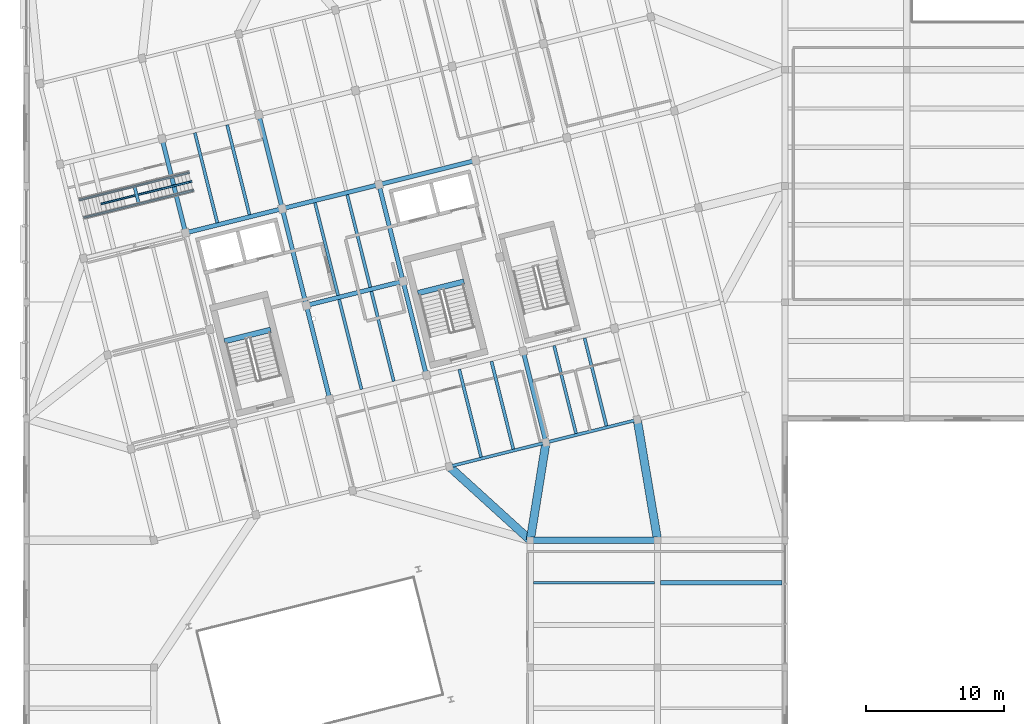
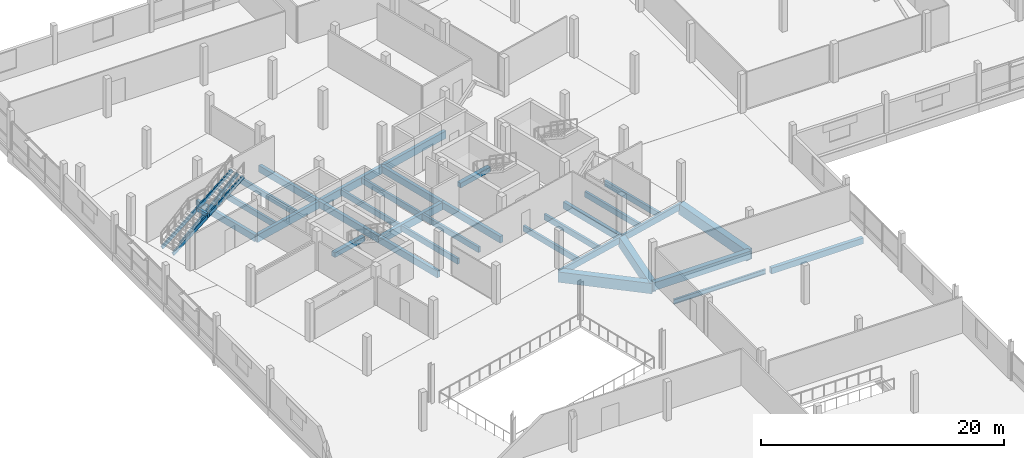
# One storey, part 23 of 62: 32 beams, 3 members.
"""IFC4 building model written with IfcOpenShell, lengths in metres."""

from ifc_helpers import new_model, si_unit, direction, frame, origin, origin_2d, place, context, subcontext, project, spatial, rectangle, i_section, extrude, material, material_profile, profile_set, type_object, element, save


model = new_model("IFC4")

# Units and contexts
model_context = context("Model", 3, precision=1e-05, world=origin(), true_north=direction((0.0, 1.0)))
body_context = subcontext(model_context, "Body", "Model", "MODEL_VIEW")
ifc_project = project(units=[si_unit("LENGTHUNIT", "METRE"), si_unit("AREAUNIT", "SQUARE_METRE"), si_unit("VOLUMEUNIT", "CUBIC_METRE"), si_unit("PLANEANGLEUNIT", "RADIAN"), si_unit("MASSUNIT", "GRAM", prefix="KILO")], contexts=[model_context])

# Site, building, storey
site_placement = place(None, origin())
site = spatial("IfcSite", under=ifc_project, at=site_placement, CompositionType="ELEMENT")
building_placement = place(site_placement, origin())
building = spatial("IfcBuilding", under=site, at=building_placement, Name="Meriwether Solvik Hall", CompositionType="ELEMENT")
storey_placement = place(building_placement, frame((0.0, 0.0, 14.39990234375)))
storey = spatial("IfcBuildingStorey", under=building, at=storey_placement, Name="L03", CompositionType="ELEMENT", Elevation=14.39990234375)

# Beams
ifc_material_1 = material(Name="Glulam Douglas-Fir 24F-V8 GL28h", Category="wood")
ifc_material_profile_1 = material_profile(ifc_material_1, rectangle(XDim=0.221923828125, YDim=0.64501953125, at=origin_2d()), Name="GLB-222X645")
ifc_profile_set_1 = profile_set([ifc_material_profile_1], Name="Glulam Douglas-Fir 24F-V8 GL28h")
beam_type_1 = type_object("IfcBeamType", Name="BM-GL-222X645", PredefinedType="SPANDREL", material=ifc_profile_set_1)
beam_1_placement = place(storey_placement, frame((89.946533203125, 46.522216796875, -0.5673828125), z_axis=(0.970291911955, 0.241937193493, 0.0), x_axis=(-0.241937193493, 0.970291911955, 0.0)))
element("IfcBeam", 1, at=beam_1_placement, inside=storey, type_object=beam_type_1, Name="Tower Girder TA:T4-T5 (L03)", PredefinedType="SPANDREL", context=body_context, shape_type="SweptSolid", body=[
    extrude(rectangle(XDim=0.221923828125, YDim=0.64501953125, at=origin_2d()), origin(), (0.0, 0.0, 1.0), 7.199951171875),
])
beam_2_placement = place(storey_placement, frame((96.9326171875, 48.26416015625, -0.5673828125), z_axis=(0.970298579828, 0.24191045034, 0.0), x_axis=(-0.24191045034, 0.970298579828, 0.0)))
element("IfcBeam", 2, at=beam_2_placement, inside=storey, type_object=beam_type_1, Name="Tower Girder TA:T5-T6 (L03)", PredefinedType="SPANDREL", context=body_context, shape_type="SweptSolid", body=[
    extrude(rectangle(XDim=0.221923828125, YDim=0.64501953125, at=origin_2d()), origin(), (0.0, 0.0, 1.0), 6.800048828125),
])
ifc_material_2 = material(Name="Glulam Douglas-Fir 24F-V8 GL28h", Category="wood")
ifc_material_profile_2 = material_profile(ifc_material_2, rectangle(XDim=0.31494140625, YDim=0.68505859375, at=origin_2d()), Name="GLB-315X685")
ifc_profile_set_2 = profile_set([ifc_material_profile_2], Name="Glulam Douglas-Fir 24F-V8 GL28h")
beam_type_2 = type_object("IfcBeamType", Name="BM-GL-315X685", PredefinedType="BEAM", material=ifc_profile_set_2)
for number, where, z_axis, x_axis, name in (
    (3, (70.893798828125, 63.414794921875, -0.58740234375), (-0.241911879182, 0.970298223594, 0.0), (-0.970298223594, -0.241911879182, 0.0), "Tower Girder T2:TD-TE (L03)"),
    (4, (81.3154296875, 51.37841796875, -0.58740234375), (-0.241944715397, 0.970290036376, 0.0), (-0.970290036376, -0.241944715397, 0.0), "Tower Girder T3:TB-TC (L03)"),
):
    element("IfcBeam", number, at=place(storey_placement, frame(where, z_axis=z_axis, x_axis=x_axis)), inside=storey, type_object=beam_type_2, Name=name, PredefinedType="BEAM", context=body_context, shape_type="SweptSolid", body=[
        extrude(rectangle(XDim=0.31494140625, YDim=0.68505859375, at=origin_2d()), origin(), (0.0, 0.0, 1.0), 7.0),
    ])
beam_3_placement = place(storey_placement, frame((79.621826171875, 58.17041015625, -0.58740234375), z_axis=(-0.241897310542, 0.970301855688, 0.0), x_axis=(-0.970301855688, -0.241897310542, 0.0)))
element("IfcBeam", 5, at=beam_3_placement, inside=storey, type_object=beam_type_2, Name="Tower Girder T3:TC-TD (L03)", PredefinedType="BEAM", context=body_context, shape_type="SweptSolid", body=[
    extrude(rectangle(XDim=0.31494140625, YDim=0.68505859375, at=origin_2d()), origin(), (0.0, 0.0, 1.0), 7.2001953125),
])
for number, where, z_axis, x_axis, name in (
    (6, (77.880126953125, 65.15673828125, -0.58740234375), (-0.241944715397, 0.970290036376, 0.0), (-0.970290036376, -0.241944715397, 0.0), "Tower Girder T3:TD-TE (L03)"),
    (7, (88.301513671875, 53.120361328125, -0.58740234375), (-0.241944715397, 0.970290036376, 0.0), (-0.970290036376, -0.241944715397, 0.0), "Tower Girder T4:TB-TC (L03)"),
):
    element("IfcBeam", number, at=place(storey_placement, frame(where, z_axis=z_axis, x_axis=x_axis)), inside=storey, type_object=beam_type_2, Name=name, PredefinedType="BEAM", context=body_context, shape_type="SweptSolid", body=[
        extrude(rectangle(XDim=0.31494140625, YDim=0.68505859375, at=origin_2d()), origin(), (0.0, 0.0, 1.0), 7.0),
    ])
beam_4_placement = place(storey_placement, frame((86.60791015625, 59.912353515625, -0.58740234375), z_axis=(-0.241905269381, 0.970299871507, 0.0), x_axis=(-0.970299871507, -0.241905269381, 0.0)))
element("IfcBeam", 8, at=beam_4_placement, inside=storey, type_object=beam_type_2, Name="Tower Girder T4:TC-TD (L03)", PredefinedType="BEAM", context=body_context, shape_type="SweptSolid", body=[
    extrude(rectangle(XDim=0.31494140625, YDim=0.68505859375, at=origin_2d()), origin(), (0.0, 0.0, 1.0), 7.199951171875),
])
beam_5_placement = place(storey_placement, frame((96.9326171875, 48.26416015625, -0.58740234375), z_axis=(-0.241918877831, 0.970296478685, 0.0), x_axis=(-0.970296478685, -0.241918877831, 0.0)))
element("IfcBeam", 9, at=beam_5_placement, inside=storey, type_object=beam_type_2, Name="Tower Girder T5:TA-TB (L03)", PredefinedType="BEAM", context=body_context, shape_type="SweptSolid", body=[
    extrude(rectangle(XDim=0.31494140625, YDim=0.68505859375, at=origin_2d()), origin(), (0.0, 0.0, 1.0), 6.7998046875),
])
ifc_material_3 = material(Name="Glulam Douglas-Fir 24F-V8 GL28h", Category="wood")
ifc_material_profile_3 = material_profile(ifc_material_3, rectangle(XDim=0.31494140625, YDim=0.760009765625, at=origin_2d()), Name="GLB-315X760")
ifc_profile_set_3 = profile_set([ifc_material_profile_3], Name="Glulam Douglas-Fir 24F-V8 GL28h")
beam_type_3 = type_object("IfcBeamType", Name="BM-GL-315X760", PredefinedType="BEAM", material=ifc_profile_set_3)
beam_6_placement = place(storey_placement, frame((79.621826171875, 58.17041015625, -0.625), z_axis=(0.970291911955, 0.241937193493, 0.0), x_axis=(-0.241937193493, 0.970291911955, 0.0)))
element("IfcBeam", 10, at=beam_6_placement, inside=storey, type_object=beam_type_3, Name="Tower Girder TC:T3-T4 (L03)", PredefinedType="BEAM", context=body_context, shape_type="SweptSolid", body=[
    extrude(rectangle(XDim=0.31494140625, YDim=0.760009765625, at=origin_2d()), origin(), (0.0, 0.0, 1.0), 7.199951171875),
])
beam_7_placement = place(storey_placement, frame((70.893798828125, 63.414794921875, -0.625), z_axis=(0.970293896644, 0.241929233735, 0.0), x_axis=(-0.241929233735, 0.970293896644, 0.0)))
element("IfcBeam", 11, at=beam_7_placement, inside=storey, type_object=beam_type_3, Name="Tower Girder TD:T2-T3 (L03)", PredefinedType="BEAM", context=body_context, shape_type="SweptSolid", body=[
    extrude(rectangle(XDim=0.31494140625, YDim=0.760009765625, at=origin_2d()), origin(), (0.0, 0.0, 1.0), 7.2001953125),
])
for number, where, z_axis, x_axis, name in (
    (12, (77.880126953125, 65.15673828125, -0.625), (0.970299871507, 0.241905269381, 0.0), (-0.241905269381, 0.970299871507, 0.0), "Tower Girder TD:T3-T4 (L03)"),
    (13, (84.8662109375, 66.8984375, -0.625), (0.970291911955, 0.241937193493, 0.0), (-0.241937193493, 0.970291911955, 0.0), "Tower Girder TD:T4-T5 (L03)"),
):
    element("IfcBeam", number, at=place(storey_placement, frame(where, z_axis=z_axis, x_axis=x_axis)), inside=storey, type_object=beam_type_3, Name=name, PredefinedType="BEAM", context=body_context, shape_type="SweptSolid", body=[
        extrude(rectangle(XDim=0.31494140625, YDim=0.760009765625, at=origin_2d()), origin(), (0.0, 0.0, 1.0), 7.199951171875),
    ])
ifc_material_4 = material(Name="Glulam Douglas-Fir 24F-V8 GL28h", Category="wood")
ifc_material_profile_4 = material_profile(ifc_material_4, rectangle(XDim=0.221923828125, YDim=0.340087890625, at=origin_2d()), Name="GLB-222X340")
ifc_profile_set_4 = profile_set([ifc_material_profile_4], Name="Glulam Douglas-Fir 24F-V8 GL28h")
beam_type_4 = type_object("IfcBeamType", Name="BM-LND-GL-222X340", PredefinedType="BEAM", material=ifc_profile_set_4)
beam_8_placement = place(storey_placement, frame((67.534912109375, 65.437255859375, 1.60498046875), z_axis=(-0.241941348057, 0.970290876027, 0.0), x_axis=(-0.970290876027, -0.241941348057, 0.0)))
element("IfcBeam", 14, at=beam_8_placement, inside=storey, type_object=beam_type_4, Name="Stair ST-ED1 Landing Cross-Bearer", PredefinedType="BEAM", context=body_context, shape_type="SweptSolid", body=[
    extrude(rectangle(XDim=0.221923828125, YDim=0.340087890625, at=origin_2d()), origin(), (0.0, 0.0, 1.0), 1.449951171875),
])
ifc_material_5 = material(Name="Concrete C40/50", Category="concrete")
ifc_material_profile_5 = material_profile(ifc_material_5, rectangle(XDim=0.39990234375, YDim=0.47998046875, at=origin_2d()), Name="RCB-400X480")
ifc_profile_set_5 = profile_set([ifc_material_profile_5], Name="Concrete C40/50")
beam_type_5 = type_object("IfcBeamType", Name="BM-LND-RC-400X480", PredefinedType="BEAM", material=ifc_profile_set_5)
beam_9_placement = place(storey_placement, frame((73.70361328125, 55.57666015625, 1.510009765625), z_axis=(0.970288447449, 0.24195108751, 0.0), x_axis=(-0.24195108751, 0.970288447449, 0.0)))
element("IfcBeam", 15, at=beam_9_placement, inside=storey, type_object=beam_type_5, Name="Stair ST-01 Half-Landing Header Beam (L03)", PredefinedType="BEAM", context=body_context, shape_type="SweptSolid", body=[
    extrude(rectangle(XDim=0.39990234375, YDim=0.47998046875, at=origin_2d()), origin(), (0.0, 0.0, 1.0), 3.43994140625),
])
beam_10_placement = place(storey_placement, frame((87.67578125, 59.060302734375, 1.510009765625), z_axis=(0.970292601873, 0.24193442655, 0.0), x_axis=(-0.24193442655, 0.970292601873, 0.0)))
element("IfcBeam", 16, at=beam_10_placement, inside=storey, type_object=beam_type_5, Name="Stair ST-02 Half-Landing Header Beam (L03)", PredefinedType="BEAM", context=body_context, shape_type="SweptSolid", body=[
    extrude(rectangle(XDim=0.39990234375, YDim=0.47998046875, at=origin_2d()), origin(), (0.0, 0.0, 1.0), 3.440185546875),
])
ifc_material_6 = material(Name="Concrete C40/50", Category="concrete")
ifc_material_profile_6 = material_profile(ifc_material_6, rectangle(XDim=0.35009765625, YDim=0.60009765625, at=origin_2d()), Name="RCB-350X600")
ifc_profile_set_6 = profile_set([ifc_material_profile_6], Name="Concrete C40/50")
beam_type_6 = type_object("IfcBeamType", Name="BM-RC-350X600", PredefinedType="JOIST", material=ifc_profile_set_6)
beam_11_placement = place(storey_placement, frame((105.219970703125, 38.13330078125, -0.544921875), z_axis=(1.0, 0.0, 0.0), x_axis=(0.0, 1.0, 0.0)))
element("IfcBeam", 17, at=beam_11_placement, inside=storey, type_object=beam_type_6, Name="Secondary Floor Joist 12/D_J2 (L03)", PredefinedType="JOIST", context=body_context, shape_type="SweptSolid", body=[
    extrude(rectangle(XDim=0.35009765625, YDim=0.60009765625, at=origin_2d()), origin(), (0.0, 0.0, 1.0), 8.760009765625),
])
ifc_material_7 = material(Name="Concrete C40/50", Category="concrete")
ifc_material_profile_7 = material_profile(ifc_material_7, rectangle(XDim=0.449951171875, YDim=0.800048828125, at=origin_2d()), Name="RCB-450X800")
ifc_profile_set_7 = profile_set([ifc_material_profile_7], Name="Concrete C40/50")
beam_type_7 = type_object("IfcBeamType", Name="BM-RC-450X800", PredefinedType="BEAM", material=ifc_profile_set_7)
beam_12_placement = place(storey_placement, frame((95.800048828125, 41.199951171875, -0.64501953125), z_axis=(1.0, 0.0, 0.0), x_axis=(0.0, 1.0, 0.0)))
element("IfcBeam", 18, at=beam_12_placement, inside=storey, type_object=beam_type_7, Name="Podium Girder E:11-12 (L03)", PredefinedType="BEAM", context=body_context, shape_type="SweptSolid", body=[
    extrude(rectangle(XDim=0.449951171875, YDim=0.800048828125, at=origin_2d()), origin(), (0.0, 0.0, 1.0), 9.199951171875),
])
ifc_material_8 = material(Name="Concrete C40/50", Category="concrete")
ifc_material_profile_8 = material_profile(ifc_material_8, rectangle(XDim=0.60009765625, YDim=1.050048828125, at=origin_2d()), Name="RCB-600X1050")
ifc_profile_set_8 = profile_set([ifc_material_profile_8], Name="Concrete C40/50")
beam_type_8 = type_object("IfcBeamType", Name="BM-RC-600X1050", PredefinedType="BEAM", material=ifc_profile_set_8)
beam_13_placement = place(storey_placement, frame((89.946533203125, 46.522216796875, -0.77001953125), z_axis=(0.739884216785, -0.672734231144, 0.0), x_axis=(0.672734231144, 0.739884216785, 0.0)))
element("IfcBeam", 19, at=beam_13_placement, inside=storey, type_object=beam_type_8, Name="Diaphragm Collector Girder T4/TA-11/E (L03)", PredefinedType="BEAM", context=body_context, shape_type="SweptSolid", body=[
    extrude(rectangle(XDim=0.60009765625, YDim=1.050048828125, at=origin_2d()), origin(), (0.0, 0.0, 1.0), 7.911376953125),
])
beam_14_placement = place(storey_placement, frame((96.9326171875, 48.26416015625, -0.77001953125), z_axis=(-0.158303256143, -0.98739054031, 0.0), x_axis=(0.98739054031, -0.158303256143, 0.0)))
element("IfcBeam", 20, at=beam_14_placement, inside=storey, type_object=beam_type_8, Name="Diaphragm Collector Girder T5/TA-11/E (L03)", PredefinedType="BEAM", context=body_context, shape_type="SweptSolid", body=[
    extrude(rectangle(XDim=0.60009765625, YDim=1.050048828125, at=origin_2d()), origin(), (0.0, 0.0, 1.0), 7.154541015625),
])
beam_15_placement = place(storey_placement, frame((103.53076171875, 49.9091796875, -0.77001953125), z_axis=(0.166348535765, -0.986067018335, 0.0), x_axis=(0.986067018335, 0.166348535765, 0.0)))
element("IfcBeam", 21, at=beam_15_placement, inside=storey, type_object=beam_type_8, Name="Diaphragm Collector Girder T6/TA-12/E (L03)", PredefinedType="BEAM", context=body_context, shape_type="SweptSolid", body=[
    extrude(rectangle(XDim=0.60009765625, YDim=1.050048828125, at=origin_2d()), origin(), (0.0, 0.0, 1.0), 8.832275390625),
])
ifc_material_9 = material(Name="Steel A992 Grade 50", Category="steel")
ifc_material_profile_9 = material_profile(ifc_material_9, i_section(OverallWidth=0.19091796875, OverallDepth=0.45703125, WebThickness=0.009033203125, FlangeThickness=0.014404296875, at=origin_2d()), Name="W18X50")
ifc_profile_set_9 = profile_set([ifc_material_profile_9], Name="Steel A992 Grade 50")
beam_type_9 = type_object("IfcBeamType", Name="BM-STL-W18X50", PredefinedType="JOIST", material=ifc_profile_set_9)
beam_16_placement = place(storey_placement, frame((96.02001953125, 38.13330078125, -0.473388671875), z_axis=(1.0, 0.0, 0.0), x_axis=(0.0, 1.0, 0.0)))
element("IfcBeam", 22, at=beam_16_placement, inside=storey, type_object=beam_type_9, Name="Secondary Floor Joist 11/D_J2 (L03)", PredefinedType="JOIST", context=body_context, shape_type="SweptSolid", body=[
    extrude(i_section(OverallWidth=0.19091796875, OverallDepth=0.45703125, WebThickness=0.009033203125, FlangeThickness=0.014404296875, at=origin_2d()), origin(), (0.0, 0.0, 1.0), 8.760009765625),
])
ifc_material_10 = material(Name="Glulam Douglas-Fir 24F-V8 GL28h", Category="wood")
ifc_material_profile_10 = material_profile(ifc_material_10, rectangle(XDim=0.221923828125, YDim=0.570068359375, at=origin_2d()), Name="GLJ-222X570")
ifc_profile_set_10 = profile_set([ifc_material_profile_10], Name="Glulam Douglas-Fir 24F-V8 GL28h")
beam_type_10 = type_object("IfcBeamType", Name="JST-GL-222X570", PredefinedType="JOIST", material=ifc_profile_set_10)
beam_17_placement = place(storey_placement, frame((73.185791015625, 64.143310546875, -0.52978515625), z_axis=(-0.241943564064, 0.970290323464, 0.0), x_axis=(-0.970290323464, -0.241943564064, 0.0)))
element("IfcBeam", 23, at=beam_17_placement, inside=storey, type_object=beam_type_10, Name="Glulam Floor Joist T2/TD-J1 (L03)", PredefinedType="JOIST", context=body_context, shape_type="SweptSolid", body=[
    extrude(rectangle(XDim=0.221923828125, YDim=0.570068359375, at=origin_2d()), origin(), (0.0, 0.0, 1.0), 6.6953125),
])
beam_18_placement = place(storey_placement, frame((75.514404296875, 64.72412109375, -0.52978515625), z_axis=(-0.241917792922, 0.970296749179, 0.0), x_axis=(-0.970296749179, -0.241917792922, 0.0)))
element("IfcBeam", 24, at=beam_18_placement, inside=storey, type_object=beam_type_10, Name="Glulam Floor Joist T2/TD-J2 (L03)", PredefinedType="JOIST", context=body_context, shape_type="SweptSolid", body=[
    extrude(rectangle(XDim=0.221923828125, YDim=0.570068359375, at=origin_2d()), origin(), (0.0, 0.0, 1.0), 6.695068359375),
])
beam_19_placement = place(storey_placement, frame((83.607177734375, 52.10693359375, -0.52978515625), z_axis=(-0.241909233393, 0.970298883231, 0.0), x_axis=(-0.970298883231, -0.241909233393, 0.0)))
element("IfcBeam", 25, at=beam_19_placement, inside=storey, type_object=beam_type_10, Name="Glulam Floor Joist T3/TB-J1 (L03)", PredefinedType="JOIST", context=body_context, shape_type="SweptSolid", body=[
    extrude(rectangle(XDim=0.221923828125, YDim=0.570068359375, at=origin_2d()), origin(), (0.0, 0.0, 1.0), 6.6953125),
])
beam_20_placement = place(storey_placement, frame((85.935791015625, 52.687744140625, -0.52978515625), z_axis=(-0.241917792922, 0.970296749179, 0.0), x_axis=(-0.970296749179, -0.241917792922, 0.0)))
element("IfcBeam", 26, at=beam_20_placement, inside=storey, type_object=beam_type_10, Name="Glulam Floor Joist T3/TB-J2 (L03)", PredefinedType="JOIST", context=body_context, shape_type="SweptSolid", body=[
    extrude(rectangle(XDim=0.221923828125, YDim=0.570068359375, at=origin_2d()), origin(), (0.0, 0.0, 1.0), 6.695068359375),
])
for number, where, z_axis, x_axis, name in (
    (27, (81.91357421875, 58.899169921875, -0.52978515625), (-0.241910719241, 0.970298512787, 0.0), (-0.970298512787, -0.241910719241, 0.0), "Glulam Floor Joist T3/TC-J1 (L03)"),
    (28, (84.242431640625, 59.479736328125, -0.52978515625), (-0.241944055158, 0.970290201009, 0.0), (-0.970290201009, -0.241944055158, 0.0), "Glulam Floor Joist T3/TC-J2 (L03)"),
):
    element("IfcBeam", number, at=place(storey_placement, frame(where, z_axis=z_axis, x_axis=x_axis)), inside=storey, type_object=beam_type_10, Name=name, PredefinedType="JOIST", context=body_context, shape_type="SweptSolid", body=[
        extrude(rectangle(XDim=0.221923828125, YDim=0.570068359375, at=origin_2d()), origin(), (0.0, 0.0, 1.0), 6.89501953125),
    ])
for number, where, z_axis, x_axis, name in (
    (29, (92.24951171875, 47.205810546875, -0.52978515625), (-0.241920861923, 0.970295984, 0.0), (-0.970295984, -0.241920861923, 0.0), "Glulam Floor Joist T4/TA-J1 (L03)"),
    (30, (94.578369140625, 47.786376953125, -0.52978515625), (-0.241920861923, 0.970295984, 0.0), (-0.970295984, -0.241920861923, 0.0), "Glulam Floor Joist T4/TA-J2 (L03)"),
    (31, (99.1064453125, 48.915283203125, -0.52978515625), (-0.241920861923, 0.970295984, 0.0), (-0.970295984, -0.241920861923, 0.0), "Glulam Floor Joist T5/TA-J1 (L03)"),
    (32, (101.3056640625, 49.463623046875, -0.52978515625), (-0.241920861923, 0.970295984, 0.0), (-0.970295984, -0.241920861923, 0.0), "Glulam Floor Joist T5/TA-J2 (L03)"),
):
    element("IfcBeam", number, at=place(storey_placement, frame(where, z_axis=z_axis, x_axis=x_axis)), inside=storey, type_object=beam_type_10, Name=name, PredefinedType="JOIST", context=body_context, shape_type="SweptSolid", body=[
        extrude(rectangle(XDim=0.221923828125, YDim=0.570068359375, at=origin_2d()), origin(), (0.0, 0.0, 1.0), 6.54150390625),
    ])

# Members
ifc_material_11 = material(Name="Glulam Douglas-Fir 24F-V8 GL28h", Category="wood")
ifc_material_profile_11 = material_profile(ifc_material_11, rectangle(XDim=0.1298828125, YDim=0.3798828125, at=origin_2d()), Name="GLM-130X380")
ifc_profile_set_11 = profile_set([ifc_material_profile_11], Name="Glulam Douglas-Fir 24F-V8 GL28h")
member_type = type_object("IfcMemberType", Name="MEM-STR-GL130", PredefinedType="STRINGER", material=ifc_profile_set_11)
for number, where, z_axis, x_axis, name in (
    (33, (63.607666015625, 64.5302734375, -0.364990234375), (0.873412448815, 0.217773709259, 0.435574684538), (-0.241929768887, 0.970293763211, 0.0), "Stair ST-ED1 Glulam Stringer L"),
    (34, (63.290771484375, 65.80126953125, -0.364990234375), (0.873412448815, 0.217773709259, 0.435574684538), (-0.241929768887, 0.970293763211, 0.0), "Stair ST-ED1 Glulam Stringer R"),
):
    element("IfcMember", number, at=place(storey_placement, frame(where, z_axis=z_axis, x_axis=x_axis)), inside=storey, type_object=member_type, Name=name, PredefinedType="STRINGER", context=body_context, shape_type="SweptSolid", body=[
        extrude(rectangle(XDim=0.1298828125, YDim=0.3798828125, at=origin_2d()), origin(), (0.0, 0.0, 1.0), 8.9541015625),
    ])
member_placement = place(storey_placement, frame((64.88818359375, 65.524658203125, -0.364990234375), z_axis=(0.834588398541, 0.20808036242, 0.510063493886), x_axis=(-0.241915441849, 0.970297335354, 0.0)))
element("IfcMember", 35, at=member_placement, inside=storey, type_object=member_type, Name="Stair ST-ED1 Glulam Stringer C", PredefinedType="STRINGER", context=body_context, shape_type="SweptSolid", body=[
    extrude(rectangle(XDim=0.1298828125, YDim=0.3798828125, at=origin_2d()), origin(), (0.0, 0.0, 1.0), 7.646484375),
])

save(model, "model.ifc")
